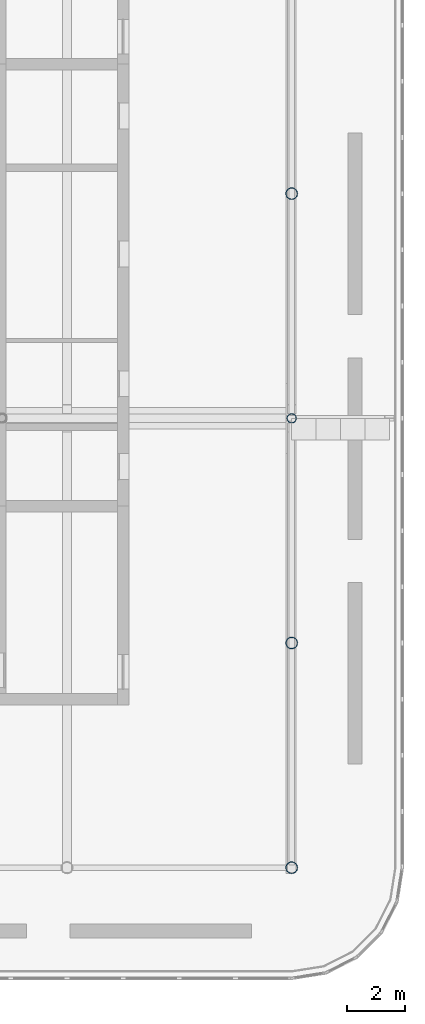
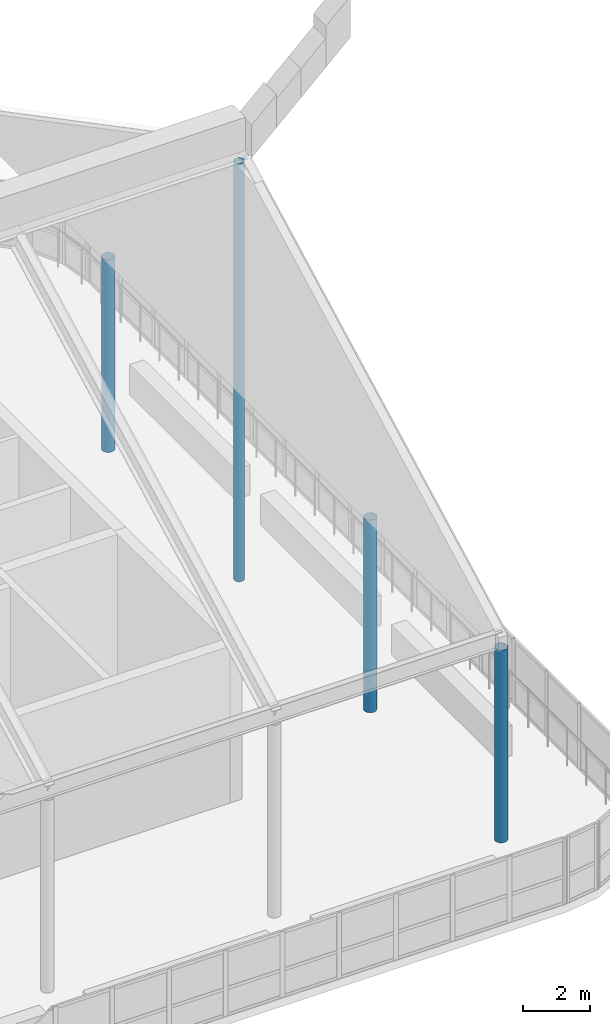
# One storey, part 2 of 19: 4 columns.
"""IFC4 building model written with IfcOpenShell, lengths in metres."""

from ifc_helpers import new_model, si_unit, direction, frame, origin, origin_2d, place, context, subcontext, project, spatial, hollow_circle, extrude, material, material_profile, profile_set, type_object, element, save


model = new_model("IFC4")

# Units and contexts
model_context = context("Model", 3, precision=1e-05, world=origin(), true_north=direction((0.0, 1.0)))
body_context = subcontext(model_context, "Body", "Model", "MODEL_VIEW")
ifc_project = project(units=[si_unit("LENGTHUNIT", "METRE"), si_unit("AREAUNIT", "SQUARE_METRE"), si_unit("VOLUMEUNIT", "CUBIC_METRE"), si_unit("PLANEANGLEUNIT", "RADIAN"), si_unit("MASSUNIT", "GRAM", prefix="KILO")], contexts=[model_context])

# Site, building, storey
site_placement = place(None, origin())
site = spatial("IfcSite", under=ifc_project, at=site_placement, CompositionType="ELEMENT")
building_placement = place(site_placement, origin())
building = spatial("IfcBuilding", under=site, at=building_placement, Name="Ludao Terraces", CompositionType="ELEMENT")
storey_placement = place(building_placement, frame((0.0, 0.0, 266.39990234375)))
storey = spatial("IfcBuildingStorey", under=building, at=storey_placement, Name="L73", CompositionType="ELEMENT", Elevation=266.39990234375)

# Columns
ifc_material = material(Name="Steel Q355", Category="steel")
ifc_material_profile_1 = material_profile(ifc_material, hollow_circle(Radius=0.202880859375, WallThickness=0.012451171875, at=origin_2d()), Name="CHS 406X12.5")
ifc_profile_set_1 = profile_set([ifc_material_profile_1], Name="Steel Q355")
column_type_1 = type_object("IfcColumnType", Name="Canopy column CHS 406x12.5 Q355", PredefinedType="COLUMN", material=ifc_profile_set_1)
for number, where, z_axis, x_axis, name in (
    (1, (100.60009765625, 49.39990234375, 0.0), (0.0, 0.0, 1.0), (1.0, 0.0, 0.0), "Canopy column SE"),
    (2, (100.60009765625, 57.199951171875, 0.0), (0.0, 0.0, 1.0), (1.0, 0.0, 0.0), "Canopy column EA"),
    (3, (100.60009765625, 72.800048828125, 0.0), (0.0, 0.0, 1.0), (1.0, 0.0, 0.0), "Canopy column EB"),
):
    element("IfcColumn", number, at=place(storey_placement, frame(where, z_axis=z_axis, x_axis=x_axis)), inside=storey, type_object=column_type_1, Name=name, PredefinedType="COLUMN", context=body_context, shape_type="SweptSolid", body=[
        extrude(hollow_circle(Radius=0.202880859375, WallThickness=0.012451171875, at=origin_2d()), origin(), (0.0, 0.0, 1.0), 6.99560546875),
    ])
ifc_material_profile_2 = material_profile(ifc_material, hollow_circle(Radius=0.16259765625, WallThickness=0.011962890625, at=origin_2d()), Name="CHS 325X12")
ifc_profile_set_2 = profile_set([ifc_material_profile_2], Name="Steel Q355")
column_type_2 = type_object("IfcColumnType", Name="Canopy ridge column CHS 325x12 Q355", PredefinedType="COLUMN", material=ifc_profile_set_2)
column_placement = place(storey_placement, frame((100.60009765625, 65.0, 0.0), z_axis=(0.0, 0.0, 1.0), x_axis=(1.0, 0.0, 0.0)))
element("IfcColumn", 4, at=column_placement, inside=storey, type_object=column_type_2, Name="Canopy ridge column E", PredefinedType="COLUMN", context=body_context, shape_type="SweptSolid", body=[
    extrude(hollow_circle(Radius=0.16259765625, WallThickness=0.011962890625, at=origin_2d()), origin(), (0.0, 0.0, 1.0), 15.20751953125),
])

save(model, "model.ifc")
